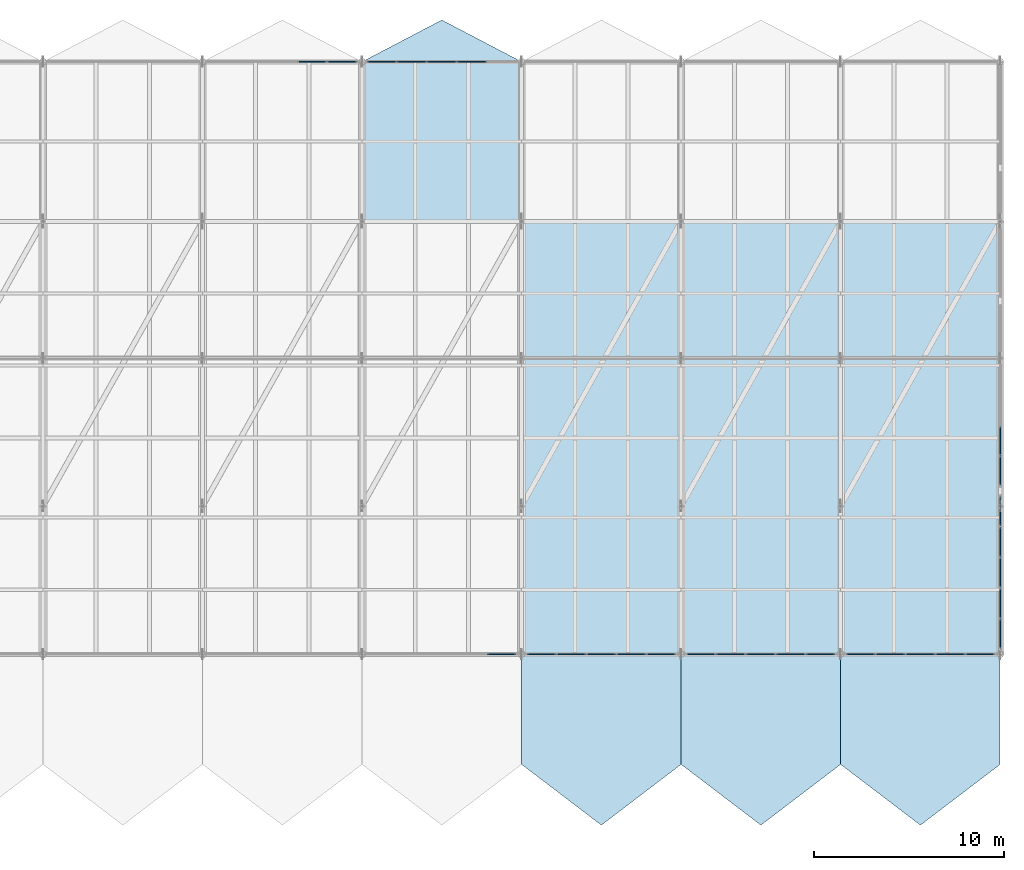
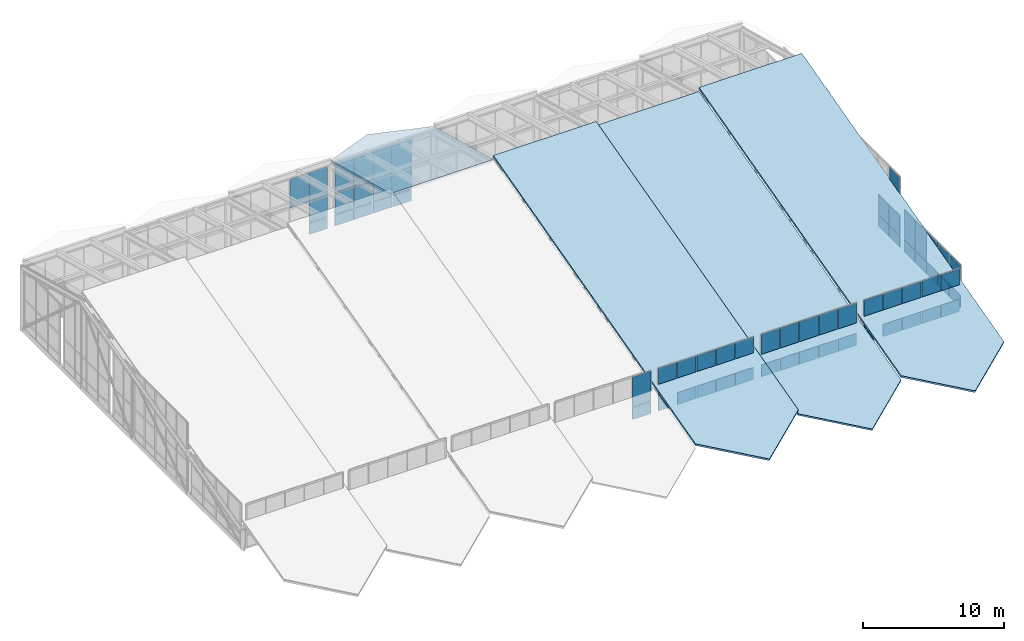
# One storey, part 38 of 43: 63 plates, 4 slabs, 8 elements without a shape of their own.
"""IFC4 building model written with IfcOpenShell, lengths in metres."""

import ifcopenshell
import ifcopenshell.guid

model = None  # the IFC model being written
_history = None  # IfcOwnerHistory: only IFC2X3 demands one
_inside = {}  # id of a spatial element -> (the spatial element, [elements in it])
_under = {}  # id of a project, library or spatial element -> (it, [spatial elements below it])
_declared = {}  # id of a project -> (the project, [libraries it declares])
_typed = {}  # id of a type object -> (the type object, [elements of that type])
_made_of = {}  # id of a material, layer set ... -> (it, [elements and type objects made of it])


def new_model(schema):
    """Start an empty IFC model of exactly this schema.

    Asked for "IFC4X3", IfcOpenShell would pick the latest addendum, in which some entities
    have other attributes; the version numbers below select the first issue.
    IFC2X3 requires an IfcOwnerHistory on every rooted entity: one is made here for all.
    """
    global model, _history
    if schema == "IFC4X3":
        model = ifcopenshell.file(schema_version=(4, 3, 0, 0))
    else:
        model = ifcopenshell.file(schema=schema)
    _inside.clear()
    _under.clear()
    _declared.clear()
    _typed.clear()
    _made_of.clear()
    _history = None
    if model.schema == "IFC2X3":
        org = make("IfcOrganization", Name="unknown")
        user = make(
            "IfcPersonAndOrganization",
            ThePerson=make("IfcPerson", FamilyName="unknown"),
            TheOrganization=org,
        )
        app = make(
            "IfcApplication",
            ApplicationDeveloper=org,
            Version="unknown",
            ApplicationFullName="unknown",
            ApplicationIdentifier="unknown",
        )
        _history = make(
            "IfcOwnerHistory",
            OwningUser=user,
            OwningApplication=app,
            ChangeAction="ADDED",
            CreationDate=0,
        )
    return model


def make(cls, **values):
    """One entity of the class cls with the attributes given. An attribute that is None is left unset."""
    return model.create_entity(
        cls, **{name: value for name, value in values.items() if value is not None}
    )


def rooted(cls, **values):
    """An entity with a GlobalId (a new one), such as an element, a storey or a relation."""
    return make(cls, GlobalId=ifcopenshell.guid.new(), OwnerHistory=_history, **values)


def si_unit(unit_type, name, prefix=None):
    """IfcSIUnit, for example si_unit("LENGTHUNIT", "METRE", prefix="MILLI")."""
    return make("IfcSIUnit", UnitType=unit_type, Prefix=prefix, Name=name)


def assignment(units):
    """IfcUnitAssignment: the units of a project."""
    return None if units is None else make("IfcUnitAssignment", Units=units)


def point(xyz):
    """IfcCartesianPoint."""
    return None if xyz is None else make("IfcCartesianPoint", Coordinates=xyz)


def direction(xyz):
    """IfcDirection."""
    return None if xyz is None else make("IfcDirection", DirectionRatios=xyz)


def frame(location, z_axis=None, x_axis=None):
    """IfcAxis2Placement3D, a coordinate frame: its origin and axes. An axis left out is left unset."""
    return make(
        "IfcAxis2Placement3D",
        Location=point(location),
        Axis=direction(z_axis),
        RefDirection=direction(x_axis),
    )


def frame_2d(location, x_axis=None):
    """IfcAxis2Placement2D, a coordinate frame in the plane: its origin and x axis."""
    return make(
        "IfcAxis2Placement2D", Location=point(location), RefDirection=direction(x_axis)
    )


def origin():
    """The frame at (0, 0, 0) with its axes left unset."""
    return frame((0.0, 0.0, 0.0))


def origin_2d():
    """The frame at (0, 0) in the plane with its x axis left unset."""
    return frame_2d((0.0, 0.0))


def place(relative_to, where):
    """IfcLocalPlacement: puts the frame where relative to a parent placement (None: the world)."""
    return make(
        "IfcLocalPlacement", PlacementRelTo=relative_to, RelativePlacement=where
    )


def context(
    kind, dimensions, precision=None, world=None, true_north=None, identifier=None
):
    """IfcGeometricRepresentationContext, for example the 3D "Model" context."""
    return make(
        "IfcGeometricRepresentationContext",
        ContextIdentifier=identifier,
        ContextType=kind,
        CoordinateSpaceDimension=dimensions,
        Precision=precision,
        WorldCoordinateSystem=world,
        TrueNorth=true_north,
    )


def subcontext(parent, identifier, kind, view, scale=None):
    """IfcGeometricRepresentationSubContext, for example "Body" below "Model"."""
    return make(
        "IfcGeometricRepresentationSubContext",
        ContextIdentifier=identifier,
        ContextType=kind,
        ParentContext=parent,
        TargetScale=scale,
        TargetView=view,
    )


def project(units=None, contexts=None):
    """IfcProject with its units and contexts."""
    return rooted(
        "IfcProject",
        Name="project",
        RepresentationContexts=contexts,
        UnitsInContext=assignment(units),
    )


def spatial(cls, under=None, at=None, **own):
    """A site, building, storey or space (cls), placed at a placement, below another one or the project."""
    s = rooted(cls, ObjectPlacement=at, **own)
    if under is not None:
        _under.setdefault(under.id(), (under, []))[1].append(s)
    return s


def polyline(points):
    """IfcPolyline through the points."""
    return make("IfcPolyline", Points=[point(p) for p in points])


def profile(cls, at=None, kind="AREA", **sizes):
    """A parametric profile (cls). Its sizes go by their IFC names, for example OverallWidth=200.0."""
    return make(cls, ProfileType=kind, Position=at, **sizes)


def rectangle(**sizes):
    """IfcRectangleProfileDef."""
    return profile("IfcRectangleProfileDef", **sizes)


def outline(outer, holes=None, kind="AREA"):
    """IfcArbitraryClosedProfileDef: a profile drawn as a closed curve; with holes, ...WithVoids."""
    if holes is None:
        return make("IfcArbitraryClosedProfileDef", ProfileType=kind, OuterCurve=outer)
    return make(
        "IfcArbitraryProfileDefWithVoids",
        ProfileType=kind,
        OuterCurve=outer,
        InnerCurves=holes,
    )


def extrude(swept, where, along, depth):
    """IfcExtrudedAreaSolid: the profile swept, set in the frame where, extruded along a direction by depth."""
    return make(
        "IfcExtrudedAreaSolid",
        SweptArea=swept,
        Position=where,
        ExtrudedDirection=direction(along),
        Depth=depth,
    )


def shape(context_of_items, identifier, shape_type, items):
    """IfcShapeRepresentation: the items that make up one representation, for example the "Body"."""
    return make(
        "IfcShapeRepresentation",
        ContextOfItems=context_of_items,
        RepresentationIdentifier=identifier,
        RepresentationType=shape_type,
        Items=items,
    )


def material(Name=None, Category=None):
    """IfcMaterial."""
    return make("IfcMaterial", Name=Name, Category=Category)


def layer(
    of_material, thickness, ventilated=None, Name=None, Category=None, Priority=None
):
    """IfcMaterialLayer: one layer of a wall or slab, of a material (None: an air gap)."""
    return make(
        "IfcMaterialLayer",
        Material=of_material,
        LayerThickness=thickness,
        IsVentilated=ventilated,
        Name=Name,
        Category=Category,
        Priority=Priority,
    )


def layer_set(layers, Name=None):
    """IfcMaterialLayerSet."""
    return make("IfcMaterialLayerSet", MaterialLayers=layers, LayerSetName=Name)


def made_of(thing, what):
    """Note that an element or type object is made of a material, layer set ...; save() writes the relation."""
    if what is not None:
        _made_of.setdefault(what.id(), (what, []))[1].append(thing)
    return thing


def type_object(cls, material=None, **own):
    """A type object (cls), such as IfcWallType, which elements share."""
    return made_of(rooted(cls, **own), material)


def element(
    cls,
    number,
    at=None,
    inside=None,
    cuts=None,
    type_object=None,
    material=None,
    context=None,
    identifier="Body",
    shape_type=None,
    held_by="IfcProductDefinitionShape",
    body=None,
    shapes=None,
    **own,
):
    """One element of the class cls, such as IfcWall. Its Tag is "e" and its number.

    at: its placement. inside: the storey or other place that contains it. cuts: it is an
    opening in that element (IfcRelVoidsElement). A single representation is given by context,
    identifier, shape_type and body (its items); several are given by shapes. held_by: the class
    of the entity that holds the representations. save() writes the other relations.
    """
    e = rooted(cls, Tag="e%d" % number, ObjectPlacement=at, **own)
    if body is not None:
        shapes = [shape(context, identifier, shape_type, body)]
    if shapes is not None:
        e.Representation = make(held_by, Representations=shapes)
    if inside is not None:
        _inside.setdefault(inside.id(), (inside, []))[1].append(e)
    if cuts is not None:
        rooted(
            "IfcRelVoidsElement", RelatingBuildingElement=cuts, RelatedOpeningElement=e
        )
    if type_object is not None:
        _typed.setdefault(type_object.id(), (type_object, []))[1].append(e)
    return made_of(e, material)


def aggregate(whole, parts):
    """IfcRelAggregates: a whole, such as a stair, and the parts it consists of."""
    return rooted("IfcRelAggregates", RelatingObject=whole, RelatedObjects=parts)


def save(model, path):
    """Write the relations noted so far, then the file.

    IfcRelAggregates (storeys below a building ...), IfcRelContainedInSpatialStructure (elements
    in a storey), IfcRelDefinesByType, IfcRelAssociatesMaterial and IfcRelDeclares: one each for
    every whole, place, type object, material and project.
    """
    for whole, parts in _under.values():
        aggregate(whole, parts)
    for where, things in _inside.values():
        rooted(
            "IfcRelContainedInSpatialStructure",
            RelatedElements=things,
            RelatingStructure=where,
        )
    for kind, things in _typed.values():
        rooted("IfcRelDefinesByType", RelatedObjects=things, RelatingType=kind)
    for what, things in _made_of.values():
        rooted("IfcRelAssociatesMaterial", RelatedObjects=things, RelatingMaterial=what)
    for by, libraries in _declared.values():
        rooted("IfcRelDeclares", RelatingContext=by, RelatedDefinitions=libraries)
    model.write(path)


model = new_model("IFC4")

# Units and contexts
model_context = context("Model", 3, precision=1e-05, world=origin(), true_north=direction((0.0, 1.0)))
body_context = subcontext(model_context, "Body", "Model", "MODEL_VIEW")
ifc_project = project(units=[si_unit("LENGTHUNIT", "METRE"), si_unit("AREAUNIT", "SQUARE_METRE"), si_unit("VOLUMEUNIT", "CUBIC_METRE"), si_unit("PLANEANGLEUNIT", "RADIAN"), si_unit("MASSUNIT", "GRAM", prefix="KILO")], contexts=[model_context])

# Site, building, storey
site_placement = place(None, origin())
site = spatial("IfcSite", under=ifc_project, at=site_placement, CompositionType="ELEMENT")
building_placement = place(site_placement, origin())
building = spatial("IfcBuilding", under=site, at=building_placement, Name="Selat Folded Stagehouse", CompositionType="ELEMENT")
storey_placement = place(building_placement, frame((0.0, 0.0, 32.39990234375)))
storey = spatial("IfcBuildingStorey", under=building, at=storey_placement, Name="RF", CompositionType="ELEMENT", Elevation=32.39990234375)

# Curtain wall, plates
ifc_material_1 = material(Name="Aluminium 6063-T6", Category="aluminium")
ifc_layer_1 = layer(ifc_material_1, 0.169921875)
ifc_layer_set_1 = layer_set([ifc_layer_1], Name="Aluminium 6063-T6")
curtain_wall_type = type_object("IfcCurtainWallType", Name="CW-CRN-CLER", PredefinedType="NOTDEFINED", material=ifc_layer_set_1)
curtain_wall_1_placement = place(storey_placement, origin())
curtain_wall_1 = element("IfcCurtainWall", 1, at=curtain_wall_1_placement, inside=storey, type_object=curtain_wall_type, Name="RF curtain wall CW-RF-N-02", PredefinedType="NOTDEFINED")
ifc_material_2 = material(Name="Acoustic weather-louvre and frit crown panel", Category="aluminium")
ifc_layer_2 = layer(ifc_material_2, 0.06201171875)
ifc_layer_set_2 = layer_set([ifc_layer_2], Name="Acoustic weather-louvre and frit crown panel")
plate_type = type_object("IfcPlateType", Name="CWP-LVR-ALU62", PredefinedType="CURTAIN_PANEL", material=ifc_layer_set_2)
plate_1_placement = place(storey_placement, frame((30.97998046875, 54.60009765625, 2.882568359375), z_axis=(0.0, 0.0, 1.0), x_axis=(1.0, 0.0, 0.0)))
plate_1 = element("IfcPlate", 2, at=plate_1_placement, type_object=plate_type, Name="CW-09 panel 4.3", PredefinedType="CURTAIN_PANEL", context=body_context, shape_type="SweptSolid", body=[
    extrude(rectangle(XDim=1.52001953125, YDim=0.06201171875, at=origin_2d()), origin(), (0.0, 0.0, 1.0), 2.50244140625),
])
plate_2_placement = place(storey_placement, frame((32.544921875, 54.60009765625, 0.06494140625), z_axis=(0.0, 0.0, 1.0), x_axis=(1.0, 0.0, 0.0)))
plate_2 = element("IfcPlate", 3, at=plate_2_placement, type_object=plate_type, Name="CW-09 panel 5.1", PredefinedType="CURTAIN_PANEL", context=body_context, shape_type="SweptSolid", body=[
    extrude(rectangle(XDim=1.489990234375, YDim=0.06201171875, at=origin_2d()), origin(), (0.0, 0.0, 1.0), 0.952392578125),
])
plate_3_placement = place(storey_placement, frame((32.544921875, 54.60009765625, 1.08251953125), z_axis=(0.0, 0.0, 1.0), x_axis=(1.0, 0.0, 0.0)))
plate_3 = element("IfcPlate", 4, at=plate_3_placement, type_object=plate_type, Name="CW-09 panel 5.2", PredefinedType="CURTAIN_PANEL", context=body_context, shape_type="SweptSolid", body=[
    extrude(rectangle(XDim=1.489990234375, YDim=0.06201171875, at=origin_2d()), origin(), (0.0, 0.0, 1.0), 1.735107421875),
])
plate_4_placement = place(storey_placement, frame((32.544921875, 54.60009765625, 2.882568359375), z_axis=(0.0, 0.0, 1.0), x_axis=(1.0, 0.0, 0.0)))
plate_4 = element("IfcPlate", 5, at=plate_4_placement, type_object=plate_type, Name="CW-09 panel 5.3", PredefinedType="CURTAIN_PANEL", context=body_context, shape_type="SweptSolid", body=[
    extrude(rectangle(XDim=1.489990234375, YDim=0.06201171875, at=origin_2d()), origin(), (0.0, 0.0, 1.0), 2.50244140625),
])
aggregate(curtain_wall_1, [plate_1, plate_2, plate_3, plate_4])

curtain_wall_2_placement = place(storey_placement, origin())
curtain_wall_2 = element("IfcCurtainWall", 6, at=curtain_wall_2_placement, inside=storey, type_object=curtain_wall_type, Name="RF curtain wall CW-RF-S-03", PredefinedType="NOTDEFINED")
plate_5_placement = place(storey_placement, frame((40.945068359375, 23.39990234375, 0.06494140625), z_axis=(0.0, 0.0, 1.0), x_axis=(-1.0, 0.0, 0.0)))
plate_5 = element("IfcPlate", 7, at=plate_5_placement, type_object=plate_type, Name="CW-09 panel 1.1", PredefinedType="CURTAIN_PANEL", context=body_context, shape_type="SweptSolid", body=[
    extrude(rectangle(XDim=1.489990234375, YDim=0.06201171875, at=origin_2d()), origin(), (0.0, 0.0, 1.0), 1.052490234375),
])
plate_6_placement = place(storey_placement, frame((40.945068359375, 23.39990234375, 1.1826171875), z_axis=(0.0, 0.0, 1.0), x_axis=(-1.0, 0.0, 0.0)))
plate_6 = element("IfcPlate", 8, at=plate_6_placement, type_object=plate_type, Name="CW-09 panel 1.2", PredefinedType="CURTAIN_PANEL", context=body_context, shape_type="SweptSolid", body=[
    extrude(rectangle(XDim=1.489990234375, YDim=0.06201171875, at=origin_2d()), origin(), (0.0, 0.0, 1.0), 2.552490234375),
])
aggregate(curtain_wall_2, [plate_5, plate_6])

curtain_wall_3_placement = place(storey_placement, origin())
curtain_wall_3 = element("IfcCurtainWall", 9, at=curtain_wall_3_placement, inside=storey, type_object=curtain_wall_type, Name="RF curtain wall CW-RF-N-03", PredefinedType="NOTDEFINED")
plate_7_placement = place(storey_placement, frame((34.655029296875, 54.60009765625, 0.06494140625), z_axis=(0.0, 0.0, 1.0), x_axis=(1.0, 0.0, 0.0)))
plate_7 = element("IfcPlate", 10, at=plate_7_placement, type_object=plate_type, Name="CW-09 panel 1.1", PredefinedType="CURTAIN_PANEL", context=body_context, shape_type="SweptSolid", body=[
    extrude(rectangle(XDim=1.489990234375, YDim=0.06201171875, at=origin_2d()), origin(), (0.0, 0.0, 1.0), 0.952392578125),
])
plate_8_placement = place(storey_placement, frame((34.655029296875, 54.60009765625, 1.08251953125), z_axis=(0.0, 0.0, 1.0), x_axis=(1.0, 0.0, 0.0)))
plate_8 = element("IfcPlate", 11, at=plate_8_placement, type_object=plate_type, Name="CW-09 panel 1.2", PredefinedType="CURTAIN_PANEL", context=body_context, shape_type="SweptSolid", body=[
    extrude(rectangle(XDim=1.489990234375, YDim=0.06201171875, at=origin_2d()), origin(), (0.0, 0.0, 1.0), 1.735107421875),
])
plate_9_placement = place(storey_placement, frame((34.655029296875, 54.60009765625, 2.882568359375), z_axis=(0.0, 0.0, 1.0), x_axis=(1.0, 0.0, 0.0)))
plate_9 = element("IfcPlate", 12, at=plate_9_placement, type_object=plate_type, Name="CW-09 panel 1.3", PredefinedType="CURTAIN_PANEL", context=body_context, shape_type="SweptSolid", body=[
    extrude(rectangle(XDim=1.489990234375, YDim=0.06201171875, at=origin_2d()), origin(), (0.0, 0.0, 1.0), 2.50244140625),
])
plate_10_placement = place(storey_placement, frame((36.219970703125, 54.60009765625, 0.06494140625), z_axis=(0.0, 0.0, 1.0), x_axis=(1.0, 0.0, 0.0)))
plate_10 = element("IfcPlate", 13, at=plate_10_placement, type_object=plate_type, Name="CW-09 panel 2.1", PredefinedType="CURTAIN_PANEL", context=body_context, shape_type="SweptSolid", body=[
    extrude(rectangle(XDim=1.52001953125, YDim=0.06201171875, at=origin_2d()), origin(), (0.0, 0.0, 1.0), 0.952392578125),
])
plate_11_placement = place(storey_placement, frame((36.219970703125, 54.60009765625, 1.08251953125), z_axis=(0.0, 0.0, 1.0), x_axis=(1.0, 0.0, 0.0)))
plate_11 = element("IfcPlate", 14, at=plate_11_placement, type_object=plate_type, Name="CW-09 panel 2.2", PredefinedType="CURTAIN_PANEL", context=body_context, shape_type="SweptSolid", body=[
    extrude(rectangle(XDim=1.52001953125, YDim=0.06201171875, at=origin_2d()), origin(), (0.0, 0.0, 1.0), 1.735107421875),
])
plate_12_placement = place(storey_placement, frame((36.219970703125, 54.60009765625, 2.882568359375), z_axis=(0.0, 0.0, 1.0), x_axis=(1.0, 0.0, 0.0)))
plate_12 = element("IfcPlate", 15, at=plate_12_placement, type_object=plate_type, Name="CW-09 panel 2.3", PredefinedType="CURTAIN_PANEL", context=body_context, shape_type="SweptSolid", body=[
    extrude(rectangle(XDim=1.52001953125, YDim=0.06201171875, at=origin_2d()), origin(), (0.0, 0.0, 1.0), 2.50244140625),
])
plate_13_placement = place(storey_placement, frame((37.800048828125, 54.60009765625, 0.06494140625), z_axis=(0.0, 0.0, 1.0), x_axis=(1.0, 0.0, 0.0)))
plate_13 = element("IfcPlate", 16, at=plate_13_placement, type_object=plate_type, Name="CW-09 panel 3.1", PredefinedType="CURTAIN_PANEL", context=body_context, shape_type="SweptSolid", body=[
    extrude(rectangle(XDim=1.52001953125, YDim=0.06201171875, at=origin_2d()), origin(), (0.0, 0.0, 1.0), 0.952392578125),
])
plate_14_placement = place(storey_placement, frame((37.800048828125, 54.60009765625, 1.08251953125), z_axis=(0.0, 0.0, 1.0), x_axis=(1.0, 0.0, 0.0)))
plate_14 = element("IfcPlate", 17, at=plate_14_placement, type_object=plate_type, Name="CW-09 panel 3.2", PredefinedType="CURTAIN_PANEL", context=body_context, shape_type="SweptSolid", body=[
    extrude(rectangle(XDim=1.52001953125, YDim=0.06201171875, at=origin_2d()), origin(), (0.0, 0.0, 1.0), 1.735107421875),
])
plate_15_placement = place(storey_placement, frame((37.800048828125, 54.60009765625, 2.882568359375), z_axis=(0.0, 0.0, 1.0), x_axis=(1.0, 0.0, 0.0)))
plate_15 = element("IfcPlate", 18, at=plate_15_placement, type_object=plate_type, Name="CW-09 panel 3.3", PredefinedType="CURTAIN_PANEL", context=body_context, shape_type="SweptSolid", body=[
    extrude(rectangle(XDim=1.52001953125, YDim=0.06201171875, at=origin_2d()), origin(), (0.0, 0.0, 1.0), 2.50244140625),
])
plate_16_placement = place(storey_placement, frame((39.3798828125, 54.60009765625, 0.06494140625), z_axis=(0.0, 0.0, 1.0), x_axis=(1.0, 0.0, 0.0)))
plate_16 = element("IfcPlate", 19, at=plate_16_placement, type_object=plate_type, Name="CW-09 panel 4.1", PredefinedType="CURTAIN_PANEL", context=body_context, shape_type="SweptSolid", body=[
    extrude(rectangle(XDim=1.52001953125, YDim=0.06201171875, at=origin_2d()), origin(), (0.0, 0.0, 1.0), 0.952392578125),
])
plate_17_placement = place(storey_placement, frame((39.3798828125, 54.60009765625, 1.08251953125), z_axis=(0.0, 0.0, 1.0), x_axis=(1.0, 0.0, 0.0)))
plate_17 = element("IfcPlate", 20, at=plate_17_placement, type_object=plate_type, Name="CW-09 panel 4.2", PredefinedType="CURTAIN_PANEL", context=body_context, shape_type="SweptSolid", body=[
    extrude(rectangle(XDim=1.52001953125, YDim=0.06201171875, at=origin_2d()), origin(), (0.0, 0.0, 1.0), 1.735107421875),
])
plate_18_placement = place(storey_placement, frame((39.3798828125, 54.60009765625, 2.882568359375), z_axis=(0.0, 0.0, 1.0), x_axis=(1.0, 0.0, 0.0)))
plate_18 = element("IfcPlate", 21, at=plate_18_placement, type_object=plate_type, Name="CW-09 panel 4.3", PredefinedType="CURTAIN_PANEL", context=body_context, shape_type="SweptSolid", body=[
    extrude(rectangle(XDim=1.52001953125, YDim=0.06201171875, at=origin_2d()), origin(), (0.0, 0.0, 1.0), 2.50244140625),
])
aggregate(curtain_wall_3, [plate_7, plate_8, plate_9, plate_10, plate_11, plate_12, plate_13, plate_14, plate_15, plate_16, plate_17, plate_18])

curtain_wall_4_placement = place(storey_placement, origin())
curtain_wall_4 = element("IfcCurtainWall", 22, at=curtain_wall_4_placement, inside=storey, type_object=curtain_wall_type, Name="RF curtain wall CW-RF-S-04", PredefinedType="NOTDEFINED")
plate_19_placement = place(storey_placement, frame((49.344970703125, 23.39990234375, 0.06494140625), z_axis=(0.0, 0.0, 1.0), x_axis=(-1.0, 0.0, 0.0)))
plate_19 = element("IfcPlate", 23, at=plate_19_placement, type_object=plate_type, Name="CW-09 panel 1.1", PredefinedType="CURTAIN_PANEL", context=body_context, shape_type="SweptSolid", body=[
    extrude(rectangle(XDim=1.489990234375, YDim=0.06201171875, at=origin_2d()), origin(), (0.0, 0.0, 1.0), 1.052490234375),
])
plate_20_placement = place(storey_placement, frame((49.344970703125, 23.39990234375, 1.1826171875), z_axis=(0.0, 0.0, 1.0), x_axis=(-1.0, 0.0, 0.0)))
plate_20 = element("IfcPlate", 24, at=plate_20_placement, type_object=plate_type, Name="CW-09 panel 1.2", PredefinedType="CURTAIN_PANEL", context=body_context, shape_type="SweptSolid", body=[
    extrude(rectangle(XDim=1.489990234375, YDim=0.06201171875, at=origin_2d()), origin(), (0.0, 0.0, 1.0), 2.552490234375),
])
plate_21_placement = place(storey_placement, frame((47.780029296875, 23.39990234375, 0.06494140625), z_axis=(0.0, 0.0, 1.0), x_axis=(-1.0, 0.0, 0.0)))
plate_21 = element("IfcPlate", 25, at=plate_21_placement, type_object=plate_type, Name="CW-09 panel 2.1", PredefinedType="CURTAIN_PANEL", context=body_context, shape_type="SweptSolid", body=[
    extrude(rectangle(XDim=1.52001953125, YDim=0.06201171875, at=origin_2d()), origin(), (0.0, 0.0, 1.0), 1.052490234375),
])
plate_22_placement = place(storey_placement, frame((47.780029296875, 23.39990234375, 1.1826171875), z_axis=(0.0, 0.0, 1.0), x_axis=(-1.0, 0.0, 0.0)))
plate_22 = element("IfcPlate", 26, at=plate_22_placement, type_object=plate_type, Name="CW-09 panel 2.2", PredefinedType="CURTAIN_PANEL", context=body_context, shape_type="SweptSolid", body=[
    extrude(rectangle(XDim=1.52001953125, YDim=0.06201171875, at=origin_2d()), origin(), (0.0, 0.0, 1.0), 2.552490234375),
])
plate_23_placement = place(storey_placement, frame((46.199951171875, 23.39990234375, 0.06494140625), z_axis=(0.0, 0.0, 1.0), x_axis=(-1.0, 0.0, 0.0)))
plate_23 = element("IfcPlate", 27, at=plate_23_placement, type_object=plate_type, Name="CW-09 panel 3.1", PredefinedType="CURTAIN_PANEL", context=body_context, shape_type="SweptSolid", body=[
    extrude(rectangle(XDim=1.52001953125, YDim=0.06201171875, at=origin_2d()), origin(), (0.0, 0.0, 1.0), 1.052490234375),
])
plate_24_placement = place(storey_placement, frame((46.199951171875, 23.39990234375, 1.1826171875), z_axis=(0.0, 0.0, 1.0), x_axis=(-1.0, 0.0, 0.0)))
plate_24 = element("IfcPlate", 28, at=plate_24_placement, type_object=plate_type, Name="CW-09 panel 3.2", PredefinedType="CURTAIN_PANEL", context=body_context, shape_type="SweptSolid", body=[
    extrude(rectangle(XDim=1.52001953125, YDim=0.06201171875, at=origin_2d()), origin(), (0.0, 0.0, 1.0), 2.552490234375),
])
plate_25_placement = place(storey_placement, frame((44.6201171875, 23.39990234375, 0.06494140625), z_axis=(0.0, 0.0, 1.0), x_axis=(-1.0, 0.0, 0.0)))
plate_25 = element("IfcPlate", 29, at=plate_25_placement, type_object=plate_type, Name="CW-09 panel 4.1", PredefinedType="CURTAIN_PANEL", context=body_context, shape_type="SweptSolid", body=[
    extrude(rectangle(XDim=1.52001953125, YDim=0.06201171875, at=origin_2d()), origin(), (0.0, 0.0, 1.0), 1.052490234375),
])
plate_26_placement = place(storey_placement, frame((44.6201171875, 23.39990234375, 1.1826171875), z_axis=(0.0, 0.0, 1.0), x_axis=(-1.0, 0.0, 0.0)))
plate_26 = element("IfcPlate", 30, at=plate_26_placement, type_object=plate_type, Name="CW-09 panel 4.2", PredefinedType="CURTAIN_PANEL", context=body_context, shape_type="SweptSolid", body=[
    extrude(rectangle(XDim=1.52001953125, YDim=0.06201171875, at=origin_2d()), origin(), (0.0, 0.0, 1.0), 2.552490234375),
])
plate_27_placement = place(storey_placement, frame((43.054931640625, 23.39990234375, 0.06494140625), z_axis=(0.0, 0.0, 1.0), x_axis=(-1.0, 0.0, 0.0)))
plate_27 = element("IfcPlate", 31, at=plate_27_placement, type_object=plate_type, Name="CW-09 panel 5.1", PredefinedType="CURTAIN_PANEL", context=body_context, shape_type="SweptSolid", body=[
    extrude(rectangle(XDim=1.489990234375, YDim=0.06201171875, at=origin_2d()), origin(), (0.0, 0.0, 1.0), 1.052490234375),
])
plate_28_placement = place(storey_placement, frame((43.054931640625, 23.39990234375, 1.1826171875), z_axis=(0.0, 0.0, 1.0), x_axis=(-1.0, 0.0, 0.0)))
plate_28 = element("IfcPlate", 32, at=plate_28_placement, type_object=plate_type, Name="CW-09 panel 5.2", PredefinedType="CURTAIN_PANEL", context=body_context, shape_type="SweptSolid", body=[
    extrude(rectangle(XDim=1.489990234375, YDim=0.06201171875, at=origin_2d()), origin(), (0.0, 0.0, 1.0), 2.552490234375),
])
aggregate(curtain_wall_4, [plate_19, plate_20, plate_21, plate_22, plate_23, plate_24, plate_25, plate_26, plate_27, plate_28])

curtain_wall_5_placement = place(storey_placement, origin())
curtain_wall_5 = element("IfcCurtainWall", 33, at=curtain_wall_5_placement, inside=storey, type_object=curtain_wall_type, Name="RF curtain wall CW-RF-S-05", PredefinedType="NOTDEFINED")
plate_29_placement = place(storey_placement, frame((57.7451171875, 23.39990234375, 0.06494140625), z_axis=(0.0, 0.0, 1.0), x_axis=(-1.0, 0.0, 0.0)))
plate_29 = element("IfcPlate", 34, at=plate_29_placement, type_object=plate_type, Name="CW-09 panel 1.1", PredefinedType="CURTAIN_PANEL", context=body_context, shape_type="SweptSolid", body=[
    extrude(rectangle(XDim=1.489990234375, YDim=0.06201171875, at=origin_2d()), origin(), (0.0, 0.0, 1.0), 1.052490234375),
])
plate_30_placement = place(storey_placement, frame((57.7451171875, 23.39990234375, 1.1826171875), z_axis=(0.0, 0.0, 1.0), x_axis=(-1.0, 0.0, 0.0)))
plate_30 = element("IfcPlate", 35, at=plate_30_placement, type_object=plate_type, Name="CW-09 panel 1.2", PredefinedType="CURTAIN_PANEL", context=body_context, shape_type="SweptSolid", body=[
    extrude(rectangle(XDim=1.489990234375, YDim=0.06201171875, at=origin_2d()), origin(), (0.0, 0.0, 1.0), 2.552490234375),
])
plate_31_placement = place(storey_placement, frame((56.179931640625, 23.39990234375, 0.06494140625), z_axis=(0.0, 0.0, 1.0), x_axis=(-1.0, 0.0, 0.0)))
plate_31 = element("IfcPlate", 36, at=plate_31_placement, type_object=plate_type, Name="CW-09 panel 2.1", PredefinedType="CURTAIN_PANEL", context=body_context, shape_type="SweptSolid", body=[
    extrude(rectangle(XDim=1.52001953125, YDim=0.06201171875, at=origin_2d()), origin(), (0.0, 0.0, 1.0), 1.052490234375),
])
plate_32_placement = place(storey_placement, frame((56.179931640625, 23.39990234375, 1.1826171875), z_axis=(0.0, 0.0, 1.0), x_axis=(-1.0, 0.0, 0.0)))
plate_32 = element("IfcPlate", 37, at=plate_32_placement, type_object=plate_type, Name="CW-09 panel 2.2", PredefinedType="CURTAIN_PANEL", context=body_context, shape_type="SweptSolid", body=[
    extrude(rectangle(XDim=1.52001953125, YDim=0.06201171875, at=origin_2d()), origin(), (0.0, 0.0, 1.0), 2.552490234375),
])
plate_33_placement = place(storey_placement, frame((54.60009765625, 23.39990234375, 0.06494140625), z_axis=(0.0, 0.0, 1.0), x_axis=(-1.0, 0.0, 0.0)))
plate_33 = element("IfcPlate", 38, at=plate_33_placement, type_object=plate_type, Name="CW-09 panel 3.1", PredefinedType="CURTAIN_PANEL", context=body_context, shape_type="SweptSolid", body=[
    extrude(rectangle(XDim=1.52001953125, YDim=0.06201171875, at=origin_2d()), origin(), (0.0, 0.0, 1.0), 1.052490234375),
])
plate_34_placement = place(storey_placement, frame((54.60009765625, 23.39990234375, 1.1826171875), z_axis=(0.0, 0.0, 1.0), x_axis=(-1.0, 0.0, 0.0)))
plate_34 = element("IfcPlate", 39, at=plate_34_placement, type_object=plate_type, Name="CW-09 panel 3.2", PredefinedType="CURTAIN_PANEL", context=body_context, shape_type="SweptSolid", body=[
    extrude(rectangle(XDim=1.52001953125, YDim=0.06201171875, at=origin_2d()), origin(), (0.0, 0.0, 1.0), 2.552490234375),
])
plate_35_placement = place(storey_placement, frame((53.02001953125, 23.39990234375, 0.06494140625), z_axis=(0.0, 0.0, 1.0), x_axis=(-1.0, 0.0, 0.0)))
plate_35 = element("IfcPlate", 40, at=plate_35_placement, type_object=plate_type, Name="CW-09 panel 4.1", PredefinedType="CURTAIN_PANEL", context=body_context, shape_type="SweptSolid", body=[
    extrude(rectangle(XDim=1.52001953125, YDim=0.06201171875, at=origin_2d()), origin(), (0.0, 0.0, 1.0), 1.052490234375),
])
plate_36_placement = place(storey_placement, frame((53.02001953125, 23.39990234375, 1.1826171875), z_axis=(0.0, 0.0, 1.0), x_axis=(-1.0, 0.0, 0.0)))
plate_36 = element("IfcPlate", 41, at=plate_36_placement, type_object=plate_type, Name="CW-09 panel 4.2", PredefinedType="CURTAIN_PANEL", context=body_context, shape_type="SweptSolid", body=[
    extrude(rectangle(XDim=1.52001953125, YDim=0.06201171875, at=origin_2d()), origin(), (0.0, 0.0, 1.0), 2.552490234375),
])
plate_37_placement = place(storey_placement, frame((51.455078125, 23.39990234375, 0.06494140625), z_axis=(0.0, 0.0, 1.0), x_axis=(-1.0, 0.0, 0.0)))
plate_37 = element("IfcPlate", 42, at=plate_37_placement, type_object=plate_type, Name="CW-09 panel 5.1", PredefinedType="CURTAIN_PANEL", context=body_context, shape_type="SweptSolid", body=[
    extrude(rectangle(XDim=1.489990234375, YDim=0.06201171875, at=origin_2d()), origin(), (0.0, 0.0, 1.0), 1.052490234375),
])
plate_38_placement = place(storey_placement, frame((51.455078125, 23.39990234375, 1.1826171875), z_axis=(0.0, 0.0, 1.0), x_axis=(-1.0, 0.0, 0.0)))
plate_38 = element("IfcPlate", 43, at=plate_38_placement, type_object=plate_type, Name="CW-09 panel 5.2", PredefinedType="CURTAIN_PANEL", context=body_context, shape_type="SweptSolid", body=[
    extrude(rectangle(XDim=1.489990234375, YDim=0.06201171875, at=origin_2d()), origin(), (0.0, 0.0, 1.0), 2.552490234375),
])
aggregate(curtain_wall_5, [plate_29, plate_30, plate_31, plate_32, plate_33, plate_34, plate_35, plate_36, plate_37, plate_38])

curtain_wall_6_placement = place(storey_placement, origin())
curtain_wall_6 = element("IfcCurtainWall", 44, at=curtain_wall_6_placement, inside=storey, type_object=curtain_wall_type, Name="RF curtain wall CW-RF-S-06", PredefinedType="NOTDEFINED")
plate_39_placement = place(storey_placement, frame((66.14501953125, 23.39990234375, 0.06494140625), z_axis=(0.0, 0.0, 1.0), x_axis=(-1.0, 0.0, 0.0)))
plate_39 = element("IfcPlate", 45, at=plate_39_placement, type_object=plate_type, Name="CW-09 panel 1.1", PredefinedType="CURTAIN_PANEL", context=body_context, shape_type="SweptSolid", body=[
    extrude(rectangle(XDim=1.489990234375, YDim=0.06201171875, at=origin_2d()), origin(), (0.0, 0.0, 1.0), 1.052490234375),
])
plate_40_placement = place(storey_placement, frame((66.14501953125, 23.39990234375, 1.1826171875), z_axis=(0.0, 0.0, 1.0), x_axis=(-1.0, 0.0, 0.0)))
plate_40 = element("IfcPlate", 46, at=plate_40_placement, type_object=plate_type, Name="CW-09 panel 1.2", PredefinedType="CURTAIN_PANEL", context=body_context, shape_type="SweptSolid", body=[
    extrude(rectangle(XDim=1.489990234375, YDim=0.06201171875, at=origin_2d()), origin(), (0.0, 0.0, 1.0), 2.552490234375),
])
plate_41_placement = place(storey_placement, frame((64.580078125, 23.39990234375, 0.06494140625), z_axis=(0.0, 0.0, 1.0), x_axis=(-1.0, 0.0, 0.0)))
plate_41 = element("IfcPlate", 47, at=plate_41_placement, type_object=plate_type, Name="CW-09 panel 2.1", PredefinedType="CURTAIN_PANEL", context=body_context, shape_type="SweptSolid", body=[
    extrude(rectangle(XDim=1.52001953125, YDim=0.06201171875, at=origin_2d()), origin(), (0.0, 0.0, 1.0), 1.052490234375),
])
plate_42_placement = place(storey_placement, frame((64.580078125, 23.39990234375, 1.1826171875), z_axis=(0.0, 0.0, 1.0), x_axis=(-1.0, 0.0, 0.0)))
plate_42 = element("IfcPlate", 48, at=plate_42_placement, type_object=plate_type, Name="CW-09 panel 2.2", PredefinedType="CURTAIN_PANEL", context=body_context, shape_type="SweptSolid", body=[
    extrude(rectangle(XDim=1.52001953125, YDim=0.06201171875, at=origin_2d()), origin(), (0.0, 0.0, 1.0), 2.552490234375),
])
plate_43_placement = place(storey_placement, frame((63.0, 23.39990234375, 0.06494140625), z_axis=(0.0, 0.0, 1.0), x_axis=(-1.0, 0.0, 0.0)))
plate_43 = element("IfcPlate", 49, at=plate_43_placement, type_object=plate_type, Name="CW-09 panel 3.1", PredefinedType="CURTAIN_PANEL", context=body_context, shape_type="SweptSolid", body=[
    extrude(rectangle(XDim=1.52001953125, YDim=0.06201171875, at=origin_2d()), origin(), (0.0, 0.0, 1.0), 1.052490234375),
])
plate_44_placement = place(storey_placement, frame((63.0, 23.39990234375, 1.1826171875), z_axis=(0.0, 0.0, 1.0), x_axis=(-1.0, 0.0, 0.0)))
plate_44 = element("IfcPlate", 50, at=plate_44_placement, type_object=plate_type, Name="CW-09 panel 3.2", PredefinedType="CURTAIN_PANEL", context=body_context, shape_type="SweptSolid", body=[
    extrude(rectangle(XDim=1.52001953125, YDim=0.06201171875, at=origin_2d()), origin(), (0.0, 0.0, 1.0), 2.552490234375),
])
plate_45_placement = place(storey_placement, frame((61.419921875, 23.39990234375, 0.06494140625), z_axis=(0.0, 0.0, 1.0), x_axis=(-1.0, 0.0, 0.0)))
plate_45 = element("IfcPlate", 51, at=plate_45_placement, type_object=plate_type, Name="CW-09 panel 4.1", PredefinedType="CURTAIN_PANEL", context=body_context, shape_type="SweptSolid", body=[
    extrude(rectangle(XDim=1.52001953125, YDim=0.06201171875, at=origin_2d()), origin(), (0.0, 0.0, 1.0), 1.052490234375),
])
plate_46_placement = place(storey_placement, frame((61.419921875, 23.39990234375, 1.1826171875), z_axis=(0.0, 0.0, 1.0), x_axis=(-1.0, 0.0, 0.0)))
plate_46 = element("IfcPlate", 52, at=plate_46_placement, type_object=plate_type, Name="CW-09 panel 4.2", PredefinedType="CURTAIN_PANEL", context=body_context, shape_type="SweptSolid", body=[
    extrude(rectangle(XDim=1.52001953125, YDim=0.06201171875, at=origin_2d()), origin(), (0.0, 0.0, 1.0), 2.552490234375),
])
plate_47_placement = place(storey_placement, frame((59.85498046875, 23.39990234375, 0.06494140625), z_axis=(0.0, 0.0, 1.0), x_axis=(-1.0, 0.0, 0.0)))
plate_47 = element("IfcPlate", 53, at=plate_47_placement, type_object=plate_type, Name="CW-09 panel 5.1", PredefinedType="CURTAIN_PANEL", context=body_context, shape_type="SweptSolid", body=[
    extrude(rectangle(XDim=1.489990234375, YDim=0.06201171875, at=origin_2d()), origin(), (0.0, 0.0, 1.0), 1.052490234375),
])
plate_48_placement = place(storey_placement, frame((59.85498046875, 23.39990234375, 1.1826171875), z_axis=(0.0, 0.0, 1.0), x_axis=(-1.0, 0.0, 0.0)))
plate_48 = element("IfcPlate", 54, at=plate_48_placement, type_object=plate_type, Name="CW-09 panel 5.2", PredefinedType="CURTAIN_PANEL", context=body_context, shape_type="SweptSolid", body=[
    extrude(rectangle(XDim=1.489990234375, YDim=0.06201171875, at=origin_2d()), origin(), (0.0, 0.0, 1.0), 2.552490234375),
])
aggregate(curtain_wall_6, [plate_39, plate_40, plate_41, plate_42, plate_43, plate_44, plate_45, plate_46, plate_47, plate_48])

curtain_wall_7_placement = place(storey_placement, origin())
curtain_wall_7 = element("IfcCurtainWall", 55, at=curtain_wall_7_placement, inside=storey, type_object=curtain_wall_type, Name="RF curtain wall CW-RF-E-02", PredefinedType="NOTDEFINED")
plate_49_placement = place(storey_placement, frame((67.199951171875, 34.625, 0.06494140625), z_axis=(0.0, 0.0, 1.0), x_axis=(0.0, -1.0, 0.0)))
plate_49 = element("IfcPlate", 56, at=plate_49_placement, type_object=plate_type, Name="CW-09 panel 5.1", PredefinedType="CURTAIN_PANEL", context=body_context, shape_type="SweptSolid", body=[
    extrude(rectangle(XDim=1.518310546875, YDim=0.06201171875, at=origin_2d()), origin(), (0.0, 0.0, 1.0), 0.952392578125),
])
plate_50_placement = place(storey_placement, frame((67.199951171875, 34.625, 1.08251953125), z_axis=(0.0, 0.0, 1.0), x_axis=(0.0, -1.0, 0.0)))
plate_50 = element("IfcPlate", 57, at=plate_50_placement, type_object=plate_type, Name="CW-09 panel 5.2", PredefinedType="CURTAIN_PANEL", context=body_context, shape_type="SweptSolid", body=[
    extrude(rectangle(XDim=1.518310546875, YDim=0.06201171875, at=origin_2d()), origin(), (0.0, 0.0, 1.0), 1.735107421875),
])
plate_51_placement = place(storey_placement, frame((67.199951171875, 33.057861328125, 0.06494140625), z_axis=(0.0, 0.0, 1.0), x_axis=(0.0, -1.0, 0.0)))
plate_51 = element("IfcPlate", 58, at=plate_51_placement, type_object=plate_type, Name="CW-09 panel 6.1", PredefinedType="CURTAIN_PANEL", context=body_context, shape_type="SweptSolid", body=[
    extrude(rectangle(XDim=1.48583984375, YDim=0.06201171875, at=origin_2d()), origin(), (0.0, 0.0, 1.0), 0.952392578125),
])
plate_52_placement = place(storey_placement, frame((67.199951171875, 33.057861328125, 1.08251953125), z_axis=(0.0, 0.0, 1.0), x_axis=(0.0, -1.0, 0.0)))
plate_52 = element("IfcPlate", 59, at=plate_52_placement, type_object=plate_type, Name="CW-09 panel 6.2", PredefinedType="CURTAIN_PANEL", context=body_context, shape_type="SweptSolid", body=[
    extrude(rectangle(XDim=1.48583984375, YDim=0.06201171875, at=origin_2d()), origin(), (0.0, 0.0, 1.0), 1.735107421875),
])
plate_53_placement = place(storey_placement, frame((67.199951171875, 33.057861328125, 2.882568359375), z_axis=(0.0, 0.0, 1.0), x_axis=(0.0, -1.0, 0.0)))
plate_53 = element("IfcPlate", 60, at=plate_53_placement, type_object=plate_type, Name="CW-09 panel 6.3", PredefinedType="CURTAIN_PANEL", context=body_context, shape_type="SweptSolid", body=[
    extrude(rectangle(XDim=1.48583984375, YDim=0.06201171875, at=origin_2d()), origin(), (0.0, 0.0, 1.0), 3.25244140625),
])
aggregate(curtain_wall_7, [plate_49, plate_50, plate_51, plate_52, plate_53])

curtain_wall_8_placement = place(storey_placement, origin())
curtain_wall_8 = element("IfcCurtainWall", 61, at=curtain_wall_8_placement, inside=storey, type_object=curtain_wall_type, Name="RF curtain wall CW-RF-E-03", PredefinedType="NOTDEFINED")
plate_54_placement = place(storey_placement, frame((67.199951171875, 30.923828125, 0.06494140625), z_axis=(0.0, 0.0, 1.0), x_axis=(0.0, -1.0, 0.0)))
plate_54 = element("IfcPlate", 62, at=plate_54_placement, type_object=plate_type, Name="CW-09 panel 1.1", PredefinedType="CURTAIN_PANEL", context=body_context, shape_type="SweptSolid", body=[
    extrude(rectangle(XDim=1.5224609375, YDim=0.06201171875, at=origin_2d()), origin(), (0.0, 0.0, 1.0), 1.052490234375),
])
plate_55_placement = place(storey_placement, frame((67.199951171875, 30.923828125, 1.1826171875), z_axis=(0.0, 0.0, 1.0), x_axis=(0.0, -1.0, 0.0)))
plate_55 = element("IfcPlate", 63, at=plate_55_placement, type_object=plate_type, Name="CW-09 panel 1.2", PredefinedType="CURTAIN_PANEL", context=body_context, shape_type="SweptSolid", body=[
    extrude(rectangle(XDim=1.5224609375, YDim=0.06201171875, at=origin_2d()), origin(), (0.0, 0.0, 1.0), 2.552490234375),
])
plate_56_placement = place(storey_placement, frame((67.199951171875, 29.320068359375, 0.06494140625), z_axis=(0.0, 0.0, 1.0), x_axis=(0.0, -1.0, 0.0)))
plate_56 = element("IfcPlate", 64, at=plate_56_placement, type_object=plate_type, Name="CW-09 panel 2.1", PredefinedType="CURTAIN_PANEL", context=body_context, shape_type="SweptSolid", body=[
    extrude(rectangle(XDim=1.554931640625, YDim=0.06201171875, at=origin_2d()), origin(), (0.0, 0.0, 1.0), 1.052490234375),
])
plate_57_placement = place(storey_placement, frame((67.199951171875, 29.320068359375, 1.1826171875), z_axis=(0.0, 0.0, 1.0), x_axis=(0.0, -1.0, 0.0)))
plate_57 = element("IfcPlate", 65, at=plate_57_placement, type_object=plate_type, Name="CW-09 panel 2.2", PredefinedType="CURTAIN_PANEL", context=body_context, shape_type="SweptSolid", body=[
    extrude(rectangle(XDim=1.554931640625, YDim=0.06201171875, at=origin_2d()), origin(), (0.0, 0.0, 1.0), 2.552490234375),
])
plate_58_placement = place(storey_placement, frame((67.199951171875, 27.699951171875, 0.06494140625), z_axis=(0.0, 0.0, 1.0), x_axis=(0.0, -1.0, 0.0)))
plate_58 = element("IfcPlate", 66, at=plate_58_placement, type_object=plate_type, Name="CW-09 panel 3.1", PredefinedType="CURTAIN_PANEL", context=body_context, shape_type="SweptSolid", body=[
    extrude(rectangle(XDim=1.554931640625, YDim=0.06201171875, at=origin_2d()), origin(), (0.0, 0.0, 1.0), 1.052490234375),
])
plate_59_placement = place(storey_placement, frame((67.199951171875, 27.699951171875, 1.1826171875), z_axis=(0.0, 0.0, 1.0), x_axis=(0.0, -1.0, 0.0)))
plate_59 = element("IfcPlate", 67, at=plate_59_placement, type_object=plate_type, Name="CW-09 panel 3.2", PredefinedType="CURTAIN_PANEL", context=body_context, shape_type="SweptSolid", body=[
    extrude(rectangle(XDim=1.554931640625, YDim=0.06201171875, at=origin_2d()), origin(), (0.0, 0.0, 1.0), 2.552490234375),
])
plate_60_placement = place(storey_placement, frame((67.199951171875, 26.080078125, 0.06494140625), z_axis=(0.0, 0.0, 1.0), x_axis=(0.0, -1.0, 0.0)))
plate_60 = element("IfcPlate", 68, at=plate_60_placement, type_object=plate_type, Name="CW-09 panel 4.1", PredefinedType="CURTAIN_PANEL", context=body_context, shape_type="SweptSolid", body=[
    extrude(rectangle(XDim=1.554931640625, YDim=0.06201171875, at=origin_2d()), origin(), (0.0, 0.0, 1.0), 1.052490234375),
])
plate_61_placement = place(storey_placement, frame((67.199951171875, 26.080078125, 1.1826171875), z_axis=(0.0, 0.0, 1.0), x_axis=(0.0, -1.0, 0.0)))
plate_61 = element("IfcPlate", 69, at=plate_61_placement, type_object=plate_type, Name="CW-09 panel 4.2", PredefinedType="CURTAIN_PANEL", context=body_context, shape_type="SweptSolid", body=[
    extrude(rectangle(XDim=1.554931640625, YDim=0.06201171875, at=origin_2d()), origin(), (0.0, 0.0, 1.0), 2.552490234375),
])
plate_62_placement = place(storey_placement, frame((67.199951171875, 24.476318359375, 0.06494140625), z_axis=(0.0, 0.0, 1.0), x_axis=(0.0, -1.0, 0.0)))
plate_62 = element("IfcPlate", 70, at=plate_62_placement, type_object=plate_type, Name="CW-09 panel 5.1", PredefinedType="CURTAIN_PANEL", context=body_context, shape_type="SweptSolid", body=[
    extrude(rectangle(XDim=1.5224609375, YDim=0.06201171875, at=origin_2d()), origin(), (0.0, 0.0, 1.0), 1.052490234375),
])
plate_63_placement = place(storey_placement, frame((67.199951171875, 24.476318359375, 1.1826171875), z_axis=(0.0, 0.0, 1.0), x_axis=(0.0, -1.0, 0.0)))
plate_63 = element("IfcPlate", 71, at=plate_63_placement, type_object=plate_type, Name="CW-09 panel 5.2", PredefinedType="CURTAIN_PANEL", context=body_context, shape_type="SweptSolid", body=[
    extrude(rectangle(XDim=1.5224609375, YDim=0.06201171875, at=origin_2d()), origin(), (0.0, 0.0, 1.0), 2.552490234375),
])
aggregate(curtain_wall_8, [plate_54, plate_55, plate_56, plate_57, plate_58, plate_59, plate_60, plate_61, plate_62, plate_63])

# Slabs
ifc_material_3 = material(Name="Concrete C40/50", Category="concrete")
ifc_layer_3 = layer(ifc_material_3, 0.1650390625)
ifc_layer_set_3 = layer_set([ifc_layer_3], Name="Concrete C40/50")
slab_type_1 = type_object("IfcSlabType", Name="SLAB-ROOF-FP165", PredefinedType="ROOF", material=ifc_layer_set_3)
slab_1_placement = place(storey_placement, frame((33.60009765625, 46.199951171875, 8.050048828125), z_axis=(0.0, 0.255442832141, 0.966824161628), x_axis=(1.0, 0.0, 0.0)))
element("IfcSlab", 72, at=slab_1_placement, inside=storey, type_object=slab_type_1, Name="Sloped folded-plate roof facet RF-FP-B4N", PredefinedType="ROOF", context=body_context, shape_type="SweptSolid", body=[
    extrude(outline(polyline([(0.0, 0.0), (8.39990234375, 0.0), (8.39990234375, 8.68854018598498), (4.199951171875, 10.96368293246872), (0.0, 8.68854018598498), (0.0, 0.0)])), origin(), (0.0, 0.0, -1.0), 0.1650390625),
])
slab_2_placement = place(storey_placement, frame((50.39990234375, 17.60009765625, 0.495361328125), z_axis=(0.0, -0.255389606444, 0.966838222724), x_axis=(0.785429359138, -0.59842578268, -0.158073730985)))
element("IfcSlab", 73, at=slab_2_placement, inside=storey, type_object=slab_type_1, Name="Sloped folded-plate roof facet RF-FP-B6S", PredefinedType="ROOF", context=body_context, shape_type="SweptSolid", body=[
    extrude(outline(polyline([(0.0, 0.0), (5.347642360999474, 2.220446049250313e-16), (6.597721669889491, 5.199281654770041), (-11.711365694284865, 28.432926315602668), (-18.309087364174356, 23.233644660832628), (0.0, 0.0)])), origin(), (0.0, 0.0, -1.0), 0.1650390625),
])
ifc_layer_4 = layer(ifc_material_3, 0.179931640625)
ifc_layer_set_4 = layer_set([ifc_layer_4], Name="Concrete C40/50")
slab_type_2 = type_object("IfcSlabType", Name="SLAB-ROOF-FP180", PredefinedType="ROOF", material=ifc_layer_set_4)
for number, where, z_axis, x_axis, name in (
    (74, (42.0, 17.60009765625, 0.845458984375), (0.0, -0.25539325957, 0.966837257746), (0.785406199658, -0.598453598342, -0.158083497463), "Sloped folded-plate roof facet RF-FP-B5S"),
    (75, (58.800048828125, 17.60009765625, 0.845458984375), (0.0, -0.25539325957, 0.966837257746), (0.785406199658, -0.598453598342, -0.158083497463), "Sloped folded-plate roof facet RF-FP-B7S"),
):
    element("IfcSlab", number, at=place(storey_placement, frame(where, z_axis=z_axis, x_axis=x_axis)), inside=storey, type_object=slab_type_2, Name=name, PredefinedType="ROOF", context=body_context, shape_type="SweptSolid", body=[
        extrude(outline(polyline([(0.0, 0.0), (5.347489202026266, 1.942890293094024e-16), (6.597335377302009, 5.199377395798088), (-11.712621293426091, 28.432336980206074), (-18.309956670728102, 23.232959584407986), (0.0, 0.0)])), origin(), (0.0, 0.0, -1.0), 0.179931640625),
    ])

save(model, "model.ifc")
